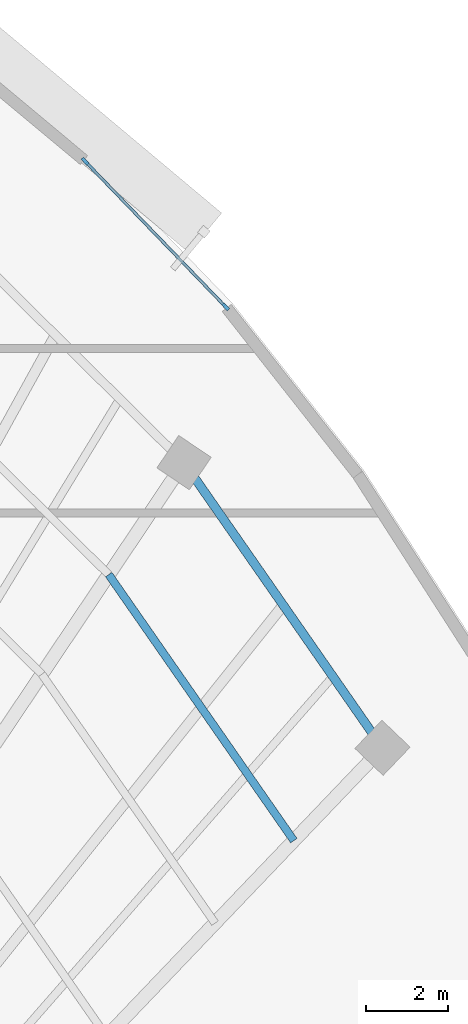
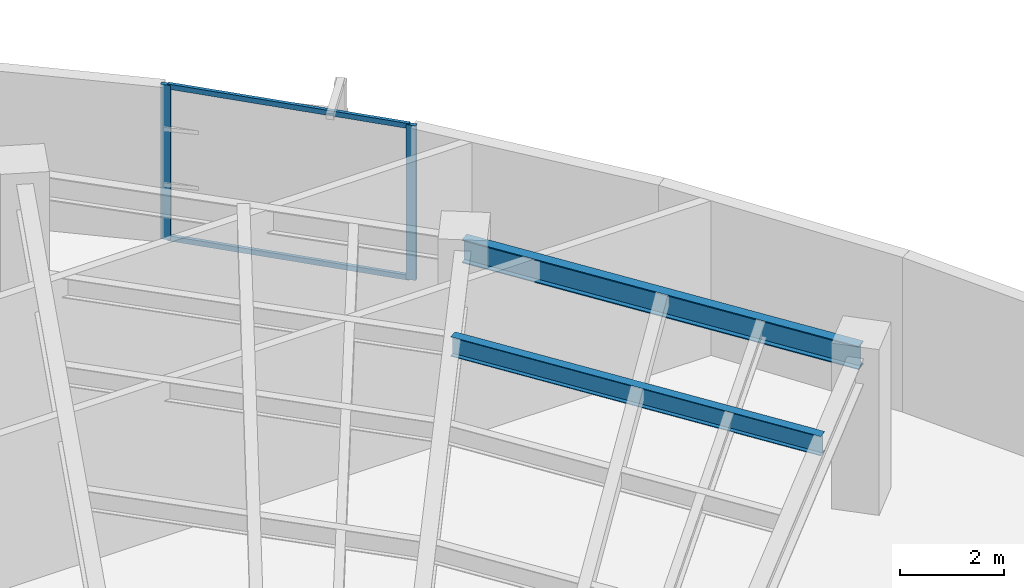
# One storey, part 6 of 13: 4 members, 2 beams, 1 element without a shape of its own.
"""IFC4 building model written with IfcOpenShell, lengths in metres."""

from ifc_helpers import new_model, si_unit, direction, frame, origin, origin_2d, place, context, subcontext, project, spatial, rectangle, i_section, extrude, source, transform, mapped, material, layer, layer_set, material_profile, profile_set, type_object, element, aggregate, save


model = new_model("IFC4")

# Units and contexts
model_context = context("Model", 3, precision=1e-05, world=origin(), true_north=direction((0.0, 1.0)))
body_context = subcontext(model_context, "Body", "Model", "MODEL_VIEW")
ifc_project = project(units=[si_unit("LENGTHUNIT", "METRE"), si_unit("AREAUNIT", "SQUARE_METRE"), si_unit("VOLUMEUNIT", "CUBIC_METRE"), si_unit("PLANEANGLEUNIT", "RADIAN"), si_unit("MASSUNIT", "GRAM", prefix="KILO")], contexts=[model_context])

# Site, building, storey
site_placement = place(None, origin())
site = spatial("IfcSite", under=ifc_project, at=site_placement, CompositionType="ELEMENT")
building_placement = place(site_placement, origin())
building = spatial("IfcBuilding", under=site, at=building_placement, Name="Breltana Convention Tower", CompositionType="ELEMENT")
storey_placement = place(building_placement, frame((0.0, 0.0, 223.5)))
storey = spatial("IfcBuildingStorey", under=building, at=storey_placement, Name="L54", CompositionType="ELEMENT", Elevation=223.5)

# Beams
ifc_material_1 = material(Name="Steel ASTM A992 Grade 50", Category="steel")
ifc_material_profile_1 = material_profile(ifc_material_1, i_section(OverallWidth=0.19091796875, OverallDepth=0.4599609375, WebThickness=0.010009765625, FlangeThickness=0.01611328125, at=origin_2d()), Name="W18X55")
ifc_profile_set_1 = profile_set([ifc_material_profile_1], Name="Steel ASTM A992 Grade 50")
beam_type_1 = type_object("IfcBeamType", Name="BM-JSG-07", PredefinedType="JOIST", material=ifc_profile_set_1)
shared_shape_1 = source(origin(), body_context, "Body", "SweptSolid", [
    extrude(i_section(OverallWidth=0.19091796875, OverallDepth=0.4599609375, WebThickness=0.010009765625, FlangeThickness=0.01611328125, at=origin_2d()), origin(), (0.0, 0.0, 1.0), 7.88037109375),
])
beam_1_placement = place(storey_placement, frame((73.3359375, 59.70556640625, 3.409912109375), z_axis=(0.571197916304, -0.820812366141, 0.0), x_axis=(0.820812366141, 0.571197916304, 0.0)))
element("IfcBeam", 1, at=beam_1_placement, inside=storey, type_object=beam_type_1, Name="L54 Composite Floor Joist 10.4", PredefinedType="JOIST", context=body_context, shape_type="MappedRepresentation", body=[
    mapped(shared_shape_1, transform((0.0, 0.0, 0.0), scale=1.0)),
])
ifc_material_profile_2 = material_profile(ifc_material_1, i_section(OverallWidth=0.214111328125, OverallDepth=0.549072265625, WebThickness=0.0146484375, FlangeThickness=0.023681640625, at=origin_2d()), Name="W21X93")
ifc_profile_set_2 = profile_set([ifc_material_profile_2], Name="Steel ASTM A992 Grade 50")
beam_type_2 = type_object("IfcBeamType", Name="BM-SP-W21X93", PredefinedType="SPANDREL", material=ifc_profile_set_2)
shared_shape_2 = source(origin(), body_context, "Body", "SweptSolid", [
    extrude(i_section(OverallWidth=0.214111328125, OverallDepth=0.549072265625, WebThickness=0.0146484375, FlangeThickness=0.023681640625, at=origin_2d()), origin(), (0.0, 0.0, 1.0), 8.44970703125),
])
beam_2_placement = place(storey_placement, frame((75.166748046875, 62.43017578125, 3.365478515625), z_axis=(0.5711855381, -0.820820979913, 0.0), x_axis=(0.820820979913, 0.5711855381, 0.0)))
element("IfcBeam", 2, at=beam_2_placement, inside=storey, type_object=beam_type_2, Name="L54 Outer Spandrel Beam 10", PredefinedType="SPANDREL", context=body_context, shape_type="MappedRepresentation", body=[
    mapped(shared_shape_2, transform((0.0, 0.0, 0.0), scale=1.0)),
])

# Curtain wall, members
ifc_material_2 = material(Name="Aluminium Anodised Bronze Frame", Category="aluminium")
ifc_layer = layer(ifc_material_2, 0.219970703125, Name="Aluminium Anodised Bronze Frame")
ifc_layer_set = layer_set([ifc_layer], Name="Aluminium Anodised Bronze Frame")
curtain_wall_type = type_object("IfcCurtainWallType", Name="CW-SYS-4", PredefinedType="NOTDEFINED", material=ifc_layer_set)
curtain_wall_placement = place(storey_placement, origin())
curtain_wall = element("IfcCurtainWall", 3, at=curtain_wall_placement, inside=storey, type_object=curtain_wall_type, Name="L54 outer double-skin inner glazing 4", PredefinedType="NOTDEFINED")
ifc_material_3 = material(Name="Aluminium Anodised Bronze", Category="aluminium")
ifc_material_profile_3 = material_profile(ifc_material_3, rectangle(XDim=0.080078125, YDim=0.199951171875, at=origin_2d()), Name="CWM-80X200")
ifc_profile_set_3 = profile_set([ifc_material_profile_3], Name="Aluminium Anodised Bronze")
member_type_1 = type_object("IfcMemberType", Name="CWM-200", PredefinedType="MULLION", material=ifc_profile_set_3)
shared_shape_3 = source(origin(), body_context, "Body", "SweptSolid", [
    extrude(rectangle(XDim=0.080078125, YDim=0.199951171875, at=origin_2d()), origin(), (0.0, 0.0, 1.0), 3.639892578125),
])
member_1_placement = place(storey_placement, frame((72.759765625, 69.759033203125, 0.0), z_axis=(0.0, 0.0, 1.0), x_axis=(0.719396292115, 0.694599866751, 0.0)))
member_1 = element("IfcMember", 4, at=member_1_placement, type_object=member_type_1, Name="CW-04 mullion 1", PredefinedType="MULLION", context=body_context, shape_type="MappedRepresentation", body=[
    mapped(shared_shape_3, transform((0.0, 0.0, 0.0), scale=1.0)),
])
member_2_placement = place(storey_placement, frame((76.177734375, 66.218994140625, 0.0), z_axis=(0.0, 0.0, 1.0), x_axis=(0.719396292115, 0.694599866751, 0.0)))
member_2 = element("IfcMember", 5, at=member_2_placement, type_object=member_type_1, Name="CW-04 mullion 2", PredefinedType="MULLION", context=body_context, shape_type="MappedRepresentation", body=[
    mapped(shared_shape_3, transform((0.0, 0.0, 0.0), scale=1.0)),
])
ifc_material_profile_4 = material_profile(ifc_material_3, rectangle(XDim=0.070068359375, YDim=0.1201171875, at=origin_2d()), Name="CWT-70X120")
ifc_profile_set_4 = profile_set([ifc_material_profile_4], Name="Aluminium Anodised Bronze")
member_type_2 = type_object("IfcMemberType", Name="CWT-120", PredefinedType="USERDEFINED", material=ifc_profile_set_4)
shared_shape_4 = source(origin(), body_context, "Body", "SweptSolid", [
    extrude(rectangle(XDim=0.070068359375, YDim=0.1201171875, at=origin_2d()), origin(), (0.0, 0.0, 1.0), 4.8408203125),
])
member_3_placement = place(storey_placement, frame((72.787353515625, 69.730224609375, 0.034912109375), z_axis=(0.694617014344, -0.719379735178, 0.0), x_axis=(0.719379735178, 0.694617014344, 0.0)))
member_3 = element("IfcMember", 6, at=member_3_placement, type_object=member_type_2, Name="CW-04 transom 1.1", ObjectType="TRANSOM", PredefinedType="USERDEFINED", context=body_context, shape_type="MappedRepresentation", body=[
    mapped(shared_shape_4, transform((0.0, 0.0, 0.0), scale=1.0)),
])
member_4_placement = place(storey_placement, frame((72.787353515625, 69.730224609375, 3.60498046875), z_axis=(0.694617014344, -0.719379735178, 0.0), x_axis=(0.719379735178, 0.694617014344, 0.0)))
member_4 = element("IfcMember", 7, at=member_4_placement, type_object=member_type_2, Name="CW-04 transom 1.2", ObjectType="TRANSOM", PredefinedType="USERDEFINED", context=body_context, shape_type="MappedRepresentation", body=[
    mapped(shared_shape_4, transform((0.0, 0.0, 0.0), scale=1.0)),
])
aggregate(curtain_wall, [member_1, member_2, member_3, member_4])

save(model, "model.ifc")
